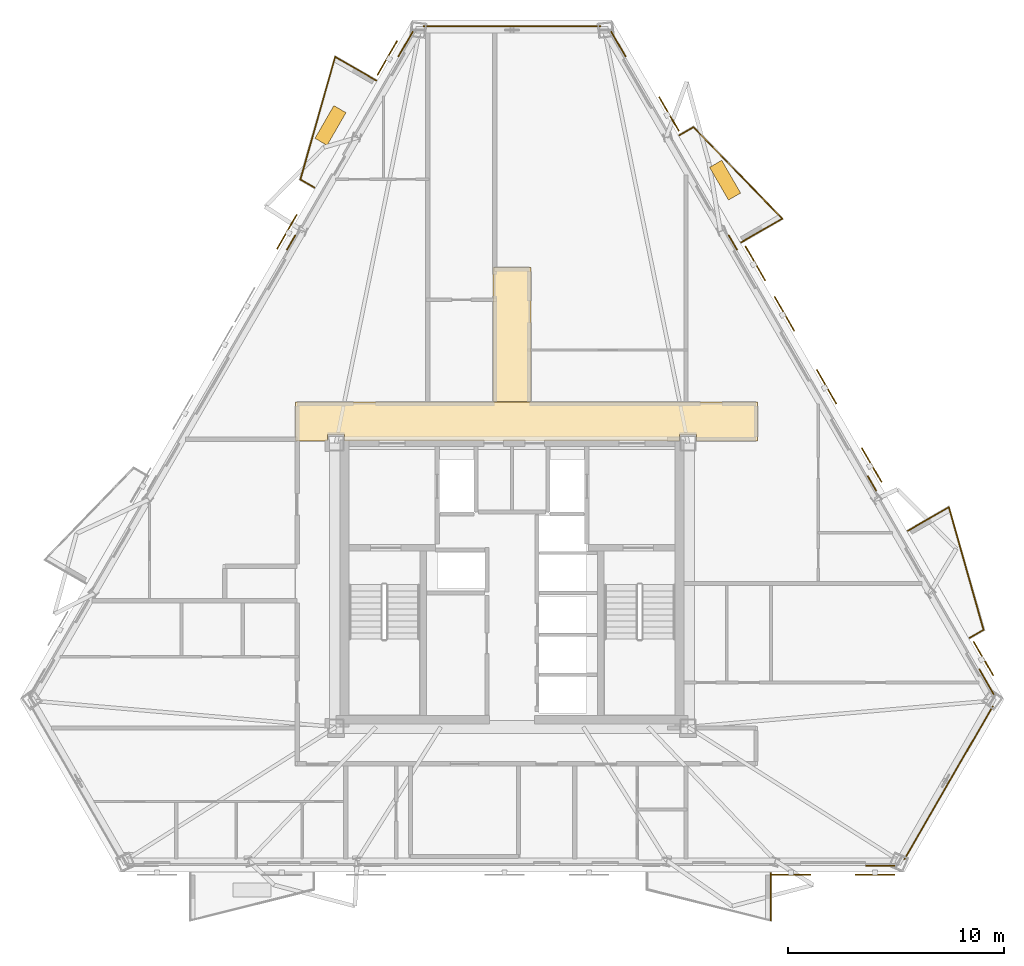
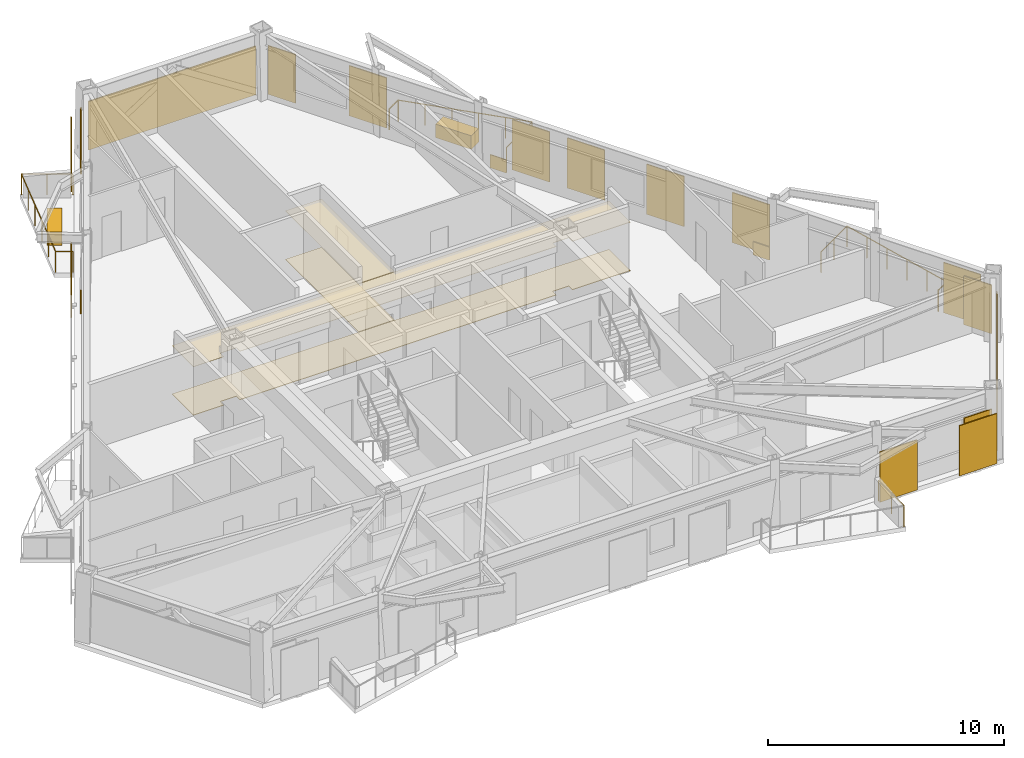
# One storey, part 9 of 9: 15 coverings, 10 railings, 10 shading devices.
"""IFC4 building model written with IfcOpenShell, lengths in metres."""

from ifc_helpers import new_model, si_unit, direction, frame, origin, origin_2d, place, context, subcontext, project, spatial, polyline, rectangle, circle, outline, extrude, material, layer, layer_set, type_object, element, save


model = new_model("IFC4")

# Units and contexts
model_context = context("Model", 3, precision=1e-05, world=origin(), true_north=direction((0.0, 1.0)))
body_context = subcontext(model_context, "Body", "Model", "MODEL_VIEW")
ifc_project = project(units=[si_unit("LENGTHUNIT", "METRE"), si_unit("AREAUNIT", "SQUARE_METRE"), si_unit("VOLUMEUNIT", "CUBIC_METRE"), si_unit("PLANEANGLEUNIT", "RADIAN"), si_unit("MASSUNIT", "GRAM", prefix="KILO")], contexts=[model_context])

# Site, building, storey
site_placement = place(None, origin())
site = spatial("IfcSite", under=ifc_project, at=site_placement, CompositionType="ELEMENT")
building_placement = place(site_placement, origin())
building = spatial("IfcBuilding", under=site, at=building_placement, Name="Oramaril Tower", CompositionType="ELEMENT")
storey_placement = place(building_placement, frame((0.0, 0.0, 167.39990234375)))
storey = spatial("IfcBuildingStorey", under=building, at=storey_placement, Name="L44", CompositionType="ELEMENT", Elevation=167.39990234375)

# Coverings
ifc_material_1 = material(Name="Mineral Fibre Acoustic Ceiling")
ifc_layer_1 = layer(ifc_material_1, 0.02001953125)
ifc_layer_set_1 = layer_set([ifc_layer_1], Name="CVT-CEIL")
covering_type_1 = type_object("IfcCoveringType", Name="CVT-CEIL", PredefinedType="CEILING", material=ifc_layer_set_1)
covering_1_placement = place(storey_placement, frame((0.0, 0.0, 2.51220703125)))
element("IfcCovering", 1, at=covering_1_placement, inside=storey, type_object=covering_type_1, Name="L44 Acoustic Suspended Ceiling 2", PredefinedType="CEILING", context=body_context, shape_type="SweptSolid", body=[
    extrude(outline(polyline([(48.8798828125, 24.239990234375), (46.044921875, 24.239990234375), (46.044921875, 24.544921875), (45.2548828125, 24.544921875), (45.2548828125, 24.25), (29.7451171875, 24.25), (29.7451171875, 24.544921875), (28.955078125, 24.544921875), (28.955078125, 24.239990234375), (27.469970703125, 24.239990234375), (27.469970703125, 26.050048828125), (48.8798828125, 26.050048828125), (48.8798828125, 24.239990234375)])), origin(), (0.0, 0.0, 1.0), 0.019775390625),
])
covering_2_placement = place(storey_placement, frame((0.0, 0.0, 2.51220703125)))
element("IfcCovering", 2, at=covering_2_placement, inside=storey, type_object=covering_type_1, Name="L44 Acoustic Suspended Ceiling 4", PredefinedType="CEILING", context=body_context, shape_type="SweptSolid", body=[
    extrude(outline(polyline([(38.3798828125, 26.070068359375), (36.6201171875, 26.070068359375), (36.6201171875, 32.280029296875), (38.3798828125, 32.280029296875), (38.3798828125, 26.070068359375)])), origin(), (0.0, 0.0, 1.0), 0.019775390625),
])
ifc_material_2 = material(Name="Warm Cream Limestone", Category="masonry")
ifc_layer_2 = layer(ifc_material_2, 0.050048828125)
ifc_layer_set_2 = layer_set([ifc_layer_2], Name="CVT-CLD")
covering_type_2 = type_object("IfcCoveringType", Name="CVT-CLD", PredefinedType="CLADDING", material=ifc_layer_set_2)
covering_3_placement = place(storey_placement, frame((54.55126953125, 4.568603515625, 0.0400390625), z_axis=(0.0, 0.0, 1.0), x_axis=(1.0, 0.0, 0.0)))
element("IfcCovering", 3, at=covering_3_placement, inside=storey, type_object=covering_type_2, Name="L44 Warm Cream Limestone Cladding", PredefinedType="CLADDING", context=body_context, shape_type="SweptSolid", body=[
    extrude(rectangle(XDim=1.35009765625, YDim=0.050048828125, at=origin_2d()), origin(), (0.0, 0.0, 1.0), 2.52001953125),
])
covering_4_placement = place(storey_placement, frame((57.72412109375, 8.423583984375, 0.0400390625), z_axis=(0.0, 0.0, 1.0), x_axis=(0.499996976998, 0.866027149108, 0.0)))
element("IfcCovering", 4, at=covering_4_placement, inside=storey, type_object=covering_type_2, Name="L44 Warm Cream Limestone Cladding", PredefinedType="CLADDING", context=body_context, shape_type="SweptSolid", body=[
    extrude(rectangle(XDim=8.208984375, YDim=0.050048828125, at=origin_2d()), origin(), (0.0, 0.0, 1.0), 2.52001953125),
])
for number, where, z_axis, x_axis, name in (
    (5, (59.476318359375, 13.098876953125, 0.0400390625), (0.0, 0.0, 1.0), (-0.5, 0.866025403784, 0.0), "L44 Warm Cream Limestone Cladding"),
    (6, (42.4248046875, 42.632568359375, 0.0400390625), (0.0, 0.0, 1.0), (-0.5, 0.866025403784, 0.0), "L44 Warm Cream Limestone Cladding"),
):
    element("IfcCovering", number, at=place(storey_placement, frame(where, z_axis=z_axis, x_axis=x_axis)), inside=storey, type_object=covering_type_2, Name=name, PredefinedType="CLADDING", context=body_context, shape_type="SweptSolid", body=[
        extrude(rectangle(XDim=1.35009765625, YDim=0.050048828125, at=origin_2d()), origin(), (0.0, 0.0, 1.0), 2.52001953125),
    ])
for number, where, z_axis, x_axis, name in (
    (7, (54.1728515625, 22.28466796875, 0.0400390625), (0.0, 0.0, 1.0), (-0.5, 0.866025403784, 0.0), "L44 Warm Cream Limestone Spandrel Cladding"),
    (8, (47.728271484375, 33.44677734375, 0.0400390625), (0.0, 0.0, 1.0), (-0.5, 0.866025403784, 0.0), "L44 Warm Cream Limestone Spandrel Cladding"),
):
    element("IfcCovering", number, at=place(storey_placement, frame(where, z_axis=z_axis, x_axis=x_axis)), inside=storey, type_object=covering_type_2, Name=name, PredefinedType="CLADDING", context=body_context, shape_type="SweptSolid", body=[
        extrude(rectangle(XDim=0.800048828125, YDim=0.050048828125, at=origin_2d()), origin(), (0.0, 0.0, 1.0), 0.679931640625),
    ])
covering_5_placement = place(storey_placement, frame((37.5, 43.45263671875, 0.0400390625), z_axis=(0.0, 0.0, 1.0), x_axis=(-1.0, 0.0, 0.0)))
element("IfcCovering", 9, at=covering_5_placement, inside=storey, type_object=covering_type_2, Name="L44 Warm Cream Limestone Cladding", PredefinedType="CLADDING", context=body_context, shape_type="SweptSolid", body=[
    extrude(rectangle(XDim=8.208740234375, YDim=0.050048828125, at=origin_2d()), origin(), (0.0, 0.0, 1.0), 2.52001953125),
])
covering_6_placement = place(storey_placement, frame((32.5751953125, 42.632568359375, 0.0400390625), z_axis=(0.0, 0.0, 1.0), x_axis=(-0.5, -0.866025403784, 0.0)))
element("IfcCovering", 10, at=covering_6_placement, inside=storey, type_object=covering_type_2, Name="L44 Warm Cream Limestone Cladding", PredefinedType="CLADDING", context=body_context, shape_type="SweptSolid", body=[
    extrude(rectangle(XDim=1.35009765625, YDim=0.050048828125, at=origin_2d()), origin(), (0.0, 0.0, 1.0), 2.52001953125),
])
covering_7_placement = place(storey_placement, frame((27.271728515625, 33.44677734375, 0.0400390625), z_axis=(0.0, 0.0, 1.0), x_axis=(-0.5, -0.866025403784, 0.0)))
element("IfcCovering", 11, at=covering_7_placement, inside=storey, type_object=covering_type_2, Name="L44 Warm Cream Limestone Spandrel Cladding", PredefinedType="CLADDING", context=body_context, shape_type="SweptSolid", body=[
    extrude(rectangle(XDim=0.800048828125, YDim=0.050048828125, at=origin_2d()), origin(), (0.0, 0.0, 1.0), 0.679931640625),
])
for number, where, z_axis, x_axis, name in (
    (12, (47.369384765625, 36.325439453125, 0.0), (0.0, 0.0, 1.0), (-0.5, 0.866025403784, 0.0), "L44 Structural Tree Planter Box L44-BAL-NE2"),
    (13, (29.093017578125, 38.858642578125, 0.0), (0.0, 0.0, 1.0), (-0.5, -0.866025403784, 0.0), "L44 Structural Tree Planter Box L44-BAL-NW1"),
):
    element("IfcCovering", number, at=place(storey_placement, frame(where, z_axis=z_axis, x_axis=x_axis)), inside=storey, type_object=covering_type_2, Name=name, PredefinedType="CLADDING", context=body_context, shape_type="SweptSolid", body=[
        extrude(rectangle(XDim=1.75, YDim=0.64990234375, at=origin_2d()), origin(), (0.0, 0.0, 1.0), 0.699951171875),
    ])
ifc_material_3 = material(Name="Honed Quartzite Stone Flooring", Category="masonry")
ifc_layer_3 = layer(ifc_material_3, 0.02490234375)
ifc_layer_set_3 = layer_set([ifc_layer_3], Name="CVT-FLR")
covering_type_3 = type_object("IfcCoveringType", Name="CVT-FLR", PredefinedType="FLOORING", material=ifc_layer_set_3)
covering_8_placement = place(storey_placement, origin())
element("IfcCovering", 14, at=covering_8_placement, inside=storey, type_object=covering_type_3, Name="L44 Honed Stone Floor Finish 2", PredefinedType="FLOORING", context=body_context, shape_type="SweptSolid", body=[
    extrude(outline(polyline([(48.8798828125, 24.239990234375), (46.044921875, 24.239990234375), (46.044921875, 24.544921875), (45.2548828125, 24.544921875), (45.2548828125, 24.25), (29.7451171875, 24.25), (29.7451171875, 24.544921875), (28.955078125, 24.544921875), (28.955078125, 24.239990234375), (27.469970703125, 24.239990234375), (27.469970703125, 26.050048828125), (48.8798828125, 26.050048828125), (48.8798828125, 24.239990234375)])), origin(), (0.0, 0.0, 1.0), 0.025146484375),
])
covering_9_placement = place(storey_placement, origin())
element("IfcCovering", 15, at=covering_9_placement, inside=storey, type_object=covering_type_3, Name="L44 Honed Stone Floor Finish 4", PredefinedType="FLOORING", context=body_context, shape_type="SweptSolid", body=[
    extrude(outline(polyline([(38.3798828125, 26.070068359375), (36.6201171875, 26.070068359375), (36.6201171875, 32.280029296875), (38.3798828125, 32.280029296875), (38.3798828125, 26.070068359375)])), origin(), (0.0, 0.0, 1.0), 0.025146484375),
])

# Railings
ifc_material_4 = material(Name="Stainless Steel 316L", Category="steel")
railing_type = type_object("IfcRailingType", Name="RLT-GRD", PredefinedType="GUARDRAIL", material=ifc_material_4)
railing_1_placement = place(storey_placement, frame((49.48193359375, 4.228515625, 0.0)))
element("IfcRailing", 16, at=railing_1_placement, inside=storey, type_object=railing_type, Name="L44 Balcony Guardrail L44-BAL-S2.1", PredefinedType="GUARDRAIL", context=body_context, shape_type="SweptSolid", body=[
    extrude(circle(Radius=0.02392578125, at=origin_2d()), frame((0.0, 0.0, 1.076171875), z_axis=(0.0, -1.0, 0.0), x_axis=(1.0, 0.0, 0.0)), (0.0, 0.0, 1.0), 2.19189453125),
    extrude(circle(Radius=0.02099609375, at=origin_2d()), origin(), (0.0, 0.0, 1.0), 1.052001953125),
    extrude(circle(Radius=0.02099609375, at=origin_2d()), frame((0.0, -1.095947265625, 0.0)), (0.0, 0.0, 1.0), 1.052001953125),
    extrude(circle(Radius=0.02099609375, at=origin_2d()), frame((0.0, -2.19189453125, 0.0)), (0.0, 0.0, 1.0), 1.052001953125),
])
railing_2_placement = place(storey_placement, frame((55.83349609375, 20.088134765625, 0.0)))
element("IfcRailing", 17, at=railing_2_placement, inside=storey, type_object=railing_type, Name="L44 Balcony Guardrail L44-BAL-NE1.1", PredefinedType="GUARDRAIL", context=body_context, shape_type="SweptSolid", body=[
    extrude(circle(Radius=0.02392578125, at=origin_2d()), frame((0.0, 0.0, 1.076171875), z_axis=(0.866020500697, 0.5000084923, 0.0), x_axis=(-0.5000084923, 0.866020500697, 0.0)), (0.0, 0.0, 1.0), 2.19189453125),
    extrude(circle(Radius=0.02099609375, at=origin_2d()), origin(), (0.0, 0.0, 1.0), 1.052001953125),
    extrude(circle(Radius=0.02099609375, at=origin_2d()), frame((0.94921875, 0.5478515625, 0.0)), (0.0, 0.0, 1.0), 1.052001953125),
    extrude(circle(Radius=0.02099609375, at=origin_2d()), frame((1.898193359375, 1.095947265625, 0.0)), (0.0, 0.0, 1.0), 1.052001953125),
])
railing_3_placement = place(storey_placement, frame((57.731689453125, 21.18408203125, 0.0)))
element("IfcRailing", 18, at=railing_3_placement, inside=storey, type_object=railing_type, Name="L44 Balcony Guardrail L44-BAL-NE1.2", PredefinedType="GUARDRAIL", context=body_context, shape_type="SweptSolid", body=[
    extrude(circle(Radius=0.02392578125, at=origin_2d()), frame((0.0, 0.0, 1.076171875), z_axis=(0.272297931824, -0.962212989064, 0.0), x_axis=(0.962212989064, 0.272297931824, 0.0)), (0.0, 0.0, 1.0), 5.910400390625),
    extrude(circle(Radius=0.02099609375, at=origin_2d()), origin(), (0.0, 0.0, 1.0), 1.052001953125),
    extrude(circle(Radius=0.02099609375, at=origin_2d()), frame((0.32177734375, -1.137451171875, 0.0)), (0.0, 0.0, 1.0), 1.052001953125),
    extrude(circle(Radius=0.02099609375, at=origin_2d()), frame((0.643798828125, -2.27490234375, 0.0)), (0.0, 0.0, 1.0), 1.052001953125),
    extrude(circle(Radius=0.02099609375, at=origin_2d()), frame((0.965576171875, -3.412109375, 0.0)), (0.0, 0.0, 1.0), 1.052001953125),
    extrude(circle(Radius=0.02099609375, at=origin_2d()), frame((1.28759765625, -4.549560546875, 0.0)), (0.0, 0.0, 1.0), 1.052001953125),
    extrude(circle(Radius=0.02099609375, at=origin_2d()), frame((1.609375, -5.68701171875, 0.0)), (0.0, 0.0, 1.0), 1.052001953125),
])
railing_4_placement = place(storey_placement, frame((59.341064453125, 15.4970703125, 0.0)))
element("IfcRailing", 19, at=railing_4_placement, inside=storey, type_object=railing_type, Name="L44 Balcony Guardrail L44-BAL-NE1.3", PredefinedType="GUARDRAIL", context=body_context, shape_type="SweptSolid", body=[
    extrude(circle(Radius=0.02392578125, at=origin_2d()), frame((0.0, 0.0, 1.076171875), z_axis=(-0.865966403178, -0.500102178127, 0.0), x_axis=(0.500102178127, -0.865966403178, 0.0)), (0.0, 0.0, 1.0), 0.741943359375),
    extrude(circle(Radius=0.02099609375, at=origin_2d()), origin(), (0.0, 0.0, 1.0), 1.052001953125),
    extrude(circle(Radius=0.02099609375, at=origin_2d()), frame((-0.642578125, -0.37109375, 0.0)), (0.0, 0.0, 1.0), 1.052001953125),
])
railing_5_placement = place(storey_placement, frame((45.254150390625, 38.412353515625, 0.0)))
element("IfcRailing", 20, at=railing_5_placement, inside=storey, type_object=railing_type, Name="L44 Balcony Guardrail L44-BAL-NE2.1", PredefinedType="GUARDRAIL", context=body_context, shape_type="SweptSolid", body=[
    extrude(circle(Radius=0.02392578125, at=origin_2d()), frame((0.0, 0.0, 1.076171875), z_axis=(0.866026623601, 0.49999788721, 0.0), x_axis=(-0.49999788721, 0.866026623601, 0.0)), (0.0, 0.0, 1.0), 0.74169921875),
    extrude(circle(Radius=0.02099609375, at=origin_2d()), origin(), (0.0, 0.0, 1.0), 1.052001953125),
    extrude(circle(Radius=0.02099609375, at=origin_2d()), frame((0.642333984375, 0.370849609375, 0.0)), (0.0, 0.0, 1.0), 1.052001953125),
])
railing_6_placement = place(storey_placement, frame((45.896484375, 38.783203125, 0.0)))
element("IfcRailing", 21, at=railing_6_placement, inside=storey, type_object=railing_type, Name="L44 Balcony Guardrail L44-BAL-NE2.2", PredefinedType="GUARDRAIL", context=body_context, shape_type="SweptSolid", body=[
    extrude(circle(Radius=0.02392578125, at=origin_2d()), frame((0.0, 0.0, 1.076171875), z_axis=(0.697186915353, -0.716889395277, 0.0), x_axis=(0.716889395277, 0.697186915353, 0.0)), (0.0, 0.0, 1.0), 5.91064453125),
    extrude(circle(Radius=0.02099609375, at=origin_2d()), origin(), (0.0, 0.0, 1.0), 1.052001953125),
    extrude(circle(Radius=0.02099609375, at=origin_2d()), frame((0.82421875, -0.847412109375, 0.0)), (0.0, 0.0, 1.0), 1.052001953125),
    extrude(circle(Radius=0.02099609375, at=origin_2d()), frame((1.6484375, -1.69482421875, 0.0)), (0.0, 0.0, 1.0), 1.052001953125),
    extrude(circle(Radius=0.02099609375, at=origin_2d()), frame((2.472412109375, -2.54248046875, 0.0)), (0.0, 0.0, 1.0), 1.052001953125),
    extrude(circle(Radius=0.02099609375, at=origin_2d()), frame((3.296630859375, -3.389892578125, 0.0)), (0.0, 0.0, 1.0), 1.052001953125),
    extrude(circle(Radius=0.02099609375, at=origin_2d()), frame((4.120849609375, -4.2373046875, 0.0)), (0.0, 0.0, 1.0), 1.052001953125),
])
railing_7_placement = place(storey_placement, frame((50.017333984375, 34.5458984375, 0.0)))
element("IfcRailing", 22, at=railing_7_placement, inside=storey, type_object=railing_type, Name="L44 Balcony Guardrail L44-BAL-NE2.3", PredefinedType="GUARDRAIL", context=body_context, shape_type="SweptSolid", body=[
    extrude(circle(Radius=0.02392578125, at=origin_2d()), frame((0.0, 0.0, 1.076171875), z_axis=(-0.866020500697, -0.5000084923, 0.0), x_axis=(0.5000084923, -0.866020500697, 0.0)), (0.0, 0.0, 1.0), 2.19189453125),
    extrude(circle(Radius=0.02099609375, at=origin_2d()), origin(), (0.0, 0.0, 1.0), 1.052001953125),
    extrude(circle(Radius=0.02099609375, at=origin_2d()), frame((-0.94921875, -0.5478515625, 0.0)), (0.0, 0.0, 1.0), 1.052001953125),
    extrude(circle(Radius=0.02099609375, at=origin_2d()), frame((-1.898193359375, -1.095947265625, 0.0)), (0.0, 0.0, 1.0), 1.052001953125),
])
railing_8_placement = place(storey_placement, frame((28.343505859375, 35.983154296875, 0.0)))
element("IfcRailing", 23, at=railing_8_placement, inside=storey, type_object=railing_type, Name="L44 Balcony Guardrail L44-BAL-NW1.1", PredefinedType="GUARDRAIL", context=body_context, shape_type="SweptSolid", body=[
    extrude(circle(Radius=0.02392578125, at=origin_2d()), frame((0.0, 0.0, 1.076171875), z_axis=(-0.865966403178, 0.500102178127, 0.0), x_axis=(-0.500102178127, -0.865966403178, 0.0)), (0.0, 0.0, 1.0), 0.741943359375),
    extrude(circle(Radius=0.02099609375, at=origin_2d()), origin(), (0.0, 0.0, 1.0), 1.052001953125),
    extrude(circle(Radius=0.02099609375, at=origin_2d()), frame((-0.642578125, 0.37109375, 0.0)), (0.0, 0.0, 1.0), 1.052001953125),
])
railing_9_placement = place(storey_placement, frame((27.700927734375, 36.354248046875, 0.0)))
element("IfcRailing", 24, at=railing_9_placement, inside=storey, type_object=railing_type, Name="L44 Balcony Guardrail L44-BAL-NW1.2", PredefinedType="GUARDRAIL", context=body_context, shape_type="SweptSolid", body=[
    extrude(circle(Radius=0.02392578125, at=origin_2d()), frame((0.0, 0.0, 1.076171875), z_axis=(0.27224886544, 0.962226873074, 0.0), x_axis=(-0.962226873074, 0.27224886544, 0.0)), (0.0, 0.0, 1.0), 5.910400390625),
    extrude(circle(Radius=0.02099609375, at=origin_2d()), origin(), (0.0, 0.0, 1.0), 1.052001953125),
    extrude(circle(Radius=0.02099609375, at=origin_2d()), frame((0.32177734375, 1.137451171875, 0.0)), (0.0, 0.0, 1.0), 1.052001953125),
    extrude(circle(Radius=0.02099609375, at=origin_2d()), frame((0.6435546875, 2.27490234375, 0.0)), (0.0, 0.0, 1.0), 1.052001953125),
    extrude(circle(Radius=0.02099609375, at=origin_2d()), frame((0.965576171875, 3.412353515625, 0.0)), (0.0, 0.0, 1.0), 1.052001953125),
    extrude(circle(Radius=0.02099609375, at=origin_2d()), frame((1.287353515625, 4.5498046875, 0.0)), (0.0, 0.0, 1.0), 1.052001953125),
    extrude(circle(Radius=0.02099609375, at=origin_2d()), frame((1.609130859375, 5.687255859375, 0.0)), (0.0, 0.0, 1.0), 1.052001953125),
])
railing_10_placement = place(storey_placement, frame((29.31005859375, 42.04150390625, 0.0)))
element("IfcRailing", 25, at=railing_10_placement, inside=storey, type_object=railing_type, Name="L44 Balcony Guardrail L44-BAL-NW1.3", PredefinedType="GUARDRAIL", context=body_context, shape_type="SweptSolid", body=[
    extrude(circle(Radius=0.02392578125, at=origin_2d()), frame((0.0, 0.0, 1.076171875), z_axis=(0.866000118559, -0.500043792738, 0.0), x_axis=(0.500043792738, 0.866000118559, 0.0)), (0.0, 0.0, 1.0), 2.192138671875),
    extrude(circle(Radius=0.02099609375, at=origin_2d()), origin(), (0.0, 0.0, 1.0), 1.052001953125),
    extrude(circle(Radius=0.02099609375, at=origin_2d()), frame((0.94921875, -0.548095703125, 0.0)), (0.0, 0.0, 1.0), 1.052001953125),
    extrude(circle(Radius=0.02099609375, at=origin_2d()), frame((1.8984375, -1.09619140625, 0.0)), (0.0, 0.0, 1.0), 1.052001953125),
])

# Shading devices
for number, where, z_axis, x_axis, name in (
    (26, (50.415283203125, 4.156494140625, -0.02001953125), (0.0, 0.0, 1.0), (1.0, 0.0, 0.0), "L44 Perforated Ceramic Solar Screen"),
    (27, (54.3154296875, 4.156494140625, -0.02001953125), (0.0, 0.0, 1.0), (1.0, 0.0, 0.0), "L44 Perforated Ceramic Solar Screen"),
    (28, (59.3330078125, 14.1708984375, -0.02001953125), (0.0, 0.0, 1.0), (-0.5, 0.866025403784, 0.0), "L44 Perforated Ceramic Solar Screen"),
    (29, (52.06640625, 26.7568359375, -0.02001953125), (0.0, 0.0, 1.0), (-0.5, 0.866025403784, 0.0), "L44 Perforated Ceramic Solar Screen"),
    (30, (50.116455078125, 30.13427734375, -0.02001953125), (0.0, 0.0, 1.0), (-0.5, 0.866025403784, 0.0), "L44 Perforated Ceramic Solar Screen"),
    (31, (48.76708984375, 32.4716796875, -0.02001953125), (0.0, 0.0, 1.0), (-0.5, 0.866025403784, 0.0), "L44 Perforated Ceramic Solar Screen"),
    (32, (54.159423828125, 23.1318359375, -0.02001953125), (0.0, 0.0, 1.0), (-0.5, 0.866025403784, 0.0), "L44 Perforated Ceramic Solar Screen"),
    (33, (44.773681640625, 39.388427734375, -0.02001953125), (0.0, 0.0, 1.0), (-0.5, 0.866025403784, 0.0), "L44 Perforated Ceramic Solar Screen"),
    (34, (27.076171875, 33.93212890625, -0.02001953125), (0.0, 0.0, 1.0), (-0.5, -0.866025403784, 0.0), "L44 Perforated Ceramic Solar Screen"),
    (35, (31.728271484375, 41.989990234375, -0.02001953125), (0.0, 0.0, 1.0), (-0.5, -0.866025403784, 0.0), "L44 Perforated Ceramic Solar Screen"),
):
    element("IfcShadingDevice", number, at=place(storey_placement, frame(where, z_axis=z_axis, x_axis=x_axis)), inside=storey, Name=name, ObjectType="SCREEN", PredefinedType="USERDEFINED", context=body_context, shape_type="SweptSolid", body=[
        extrude(rectangle(XDim=1.8330078125, YDim=0.050048828125, at=origin_2d()), origin(), (0.0, 0.0, 1.0), 2.60009765625),
    ])

save(model, "model.ifc")
